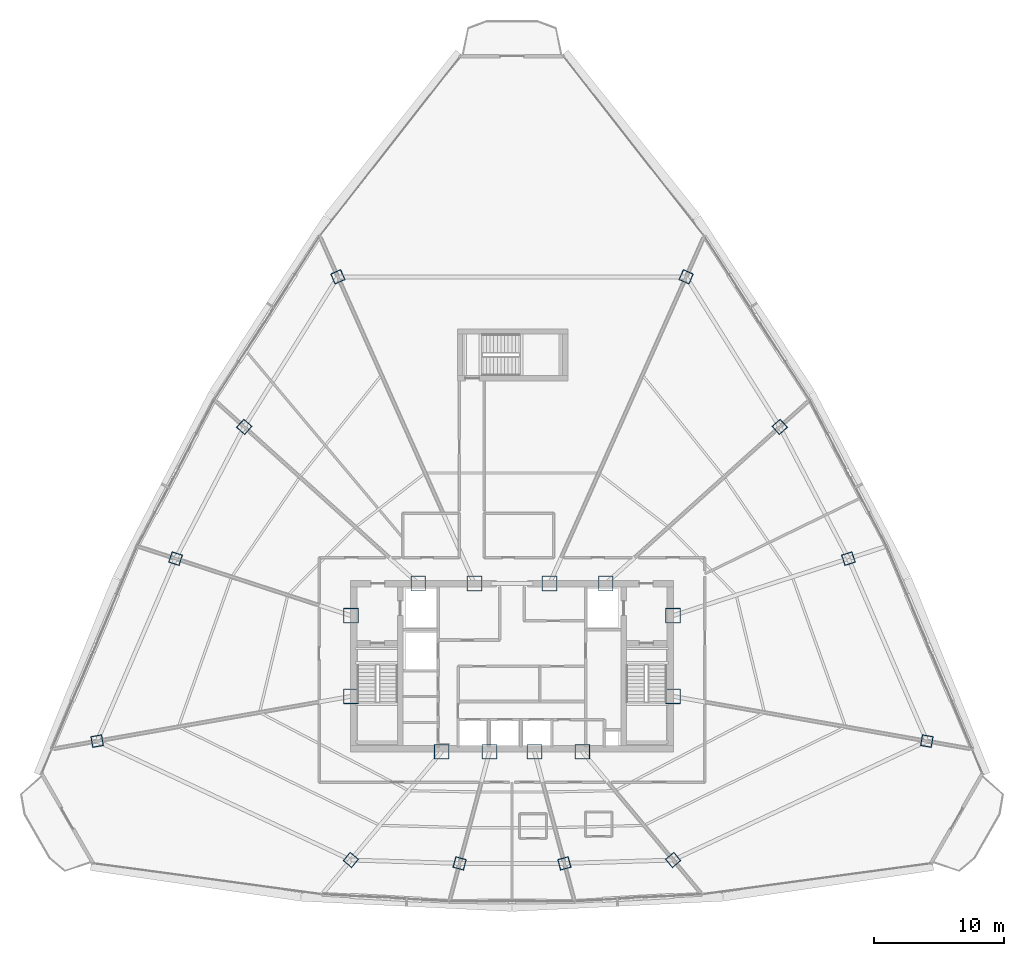
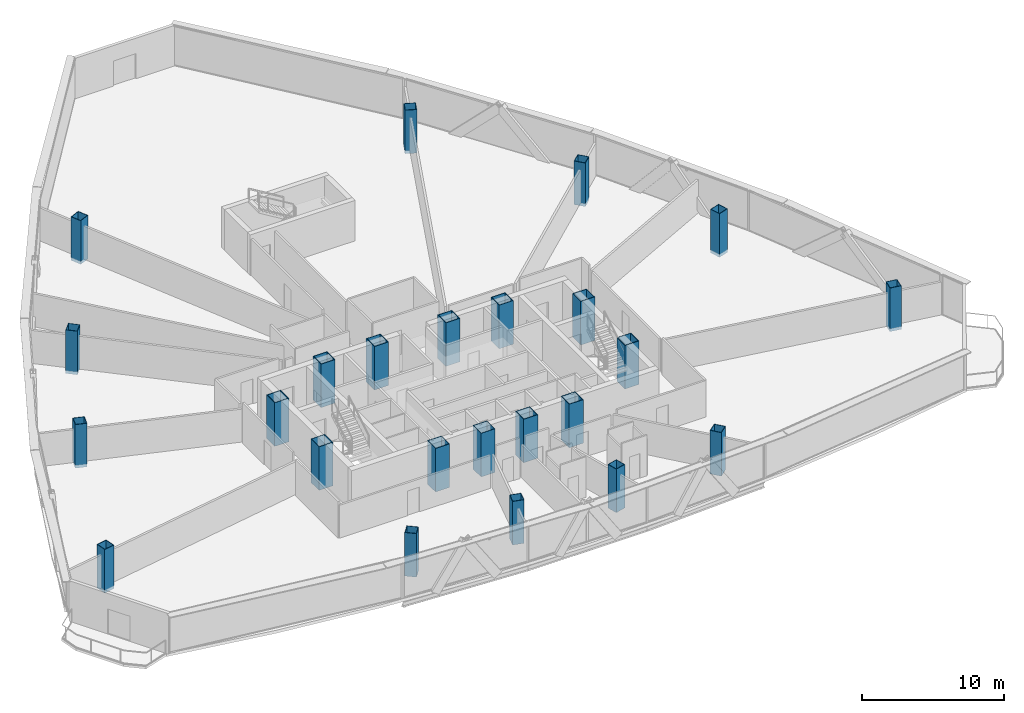
# One storey, part 1 of 34: 24 columns.
"""IFC4 building model written with IfcOpenShell, lengths in metres."""

import ifcopenshell
import ifcopenshell.guid

model = None  # the IFC model being written
_history = None  # IfcOwnerHistory: only IFC2X3 demands one
_inside = {}  # id of a spatial element -> (the spatial element, [elements in it])
_under = {}  # id of a project, library or spatial element -> (it, [spatial elements below it])
_declared = {}  # id of a project -> (the project, [libraries it declares])
_typed = {}  # id of a type object -> (the type object, [elements of that type])
_made_of = {}  # id of a material, layer set ... -> (it, [elements and type objects made of it])


def new_model(schema):
    """Start an empty IFC model of exactly this schema.

    Asked for "IFC4X3", IfcOpenShell would pick the latest addendum, in which some entities
    have other attributes; the version numbers below select the first issue.
    IFC2X3 requires an IfcOwnerHistory on every rooted entity: one is made here for all.
    """
    global model, _history
    if schema == "IFC4X3":
        model = ifcopenshell.file(schema_version=(4, 3, 0, 0))
    else:
        model = ifcopenshell.file(schema=schema)
    _inside.clear()
    _under.clear()
    _declared.clear()
    _typed.clear()
    _made_of.clear()
    _history = None
    if model.schema == "IFC2X3":
        org = make("IfcOrganization", Name="unknown")
        user = make(
            "IfcPersonAndOrganization",
            ThePerson=make("IfcPerson", FamilyName="unknown"),
            TheOrganization=org,
        )
        app = make(
            "IfcApplication",
            ApplicationDeveloper=org,
            Version="unknown",
            ApplicationFullName="unknown",
            ApplicationIdentifier="unknown",
        )
        _history = make(
            "IfcOwnerHistory",
            OwningUser=user,
            OwningApplication=app,
            ChangeAction="ADDED",
            CreationDate=0,
        )
    return model


def make(cls, **values):
    """One entity of the class cls with the attributes given. An attribute that is None is left unset."""
    return model.create_entity(
        cls, **{name: value for name, value in values.items() if value is not None}
    )


def rooted(cls, **values):
    """An entity with a GlobalId (a new one), such as an element, a storey or a relation."""
    return make(cls, GlobalId=ifcopenshell.guid.new(), OwnerHistory=_history, **values)


def si_unit(unit_type, name, prefix=None):
    """IfcSIUnit, for example si_unit("LENGTHUNIT", "METRE", prefix="MILLI")."""
    return make("IfcSIUnit", UnitType=unit_type, Prefix=prefix, Name=name)


def assignment(units):
    """IfcUnitAssignment: the units of a project."""
    return None if units is None else make("IfcUnitAssignment", Units=units)


def point(xyz):
    """IfcCartesianPoint."""
    return None if xyz is None else make("IfcCartesianPoint", Coordinates=xyz)


def direction(xyz):
    """IfcDirection."""
    return None if xyz is None else make("IfcDirection", DirectionRatios=xyz)


def frame(location, z_axis=None, x_axis=None):
    """IfcAxis2Placement3D, a coordinate frame: its origin and axes. An axis left out is left unset."""
    return make(
        "IfcAxis2Placement3D",
        Location=point(location),
        Axis=direction(z_axis),
        RefDirection=direction(x_axis),
    )


def frame_2d(location, x_axis=None):
    """IfcAxis2Placement2D, a coordinate frame in the plane: its origin and x axis."""
    return make(
        "IfcAxis2Placement2D", Location=point(location), RefDirection=direction(x_axis)
    )


def origin():
    """The frame at (0, 0, 0) with its axes left unset."""
    return frame((0.0, 0.0, 0.0))


def origin_2d():
    """The frame at (0, 0) in the plane with its x axis left unset."""
    return frame_2d((0.0, 0.0))


def place(relative_to, where):
    """IfcLocalPlacement: puts the frame where relative to a parent placement (None: the world)."""
    return make(
        "IfcLocalPlacement", PlacementRelTo=relative_to, RelativePlacement=where
    )


def context(
    kind, dimensions, precision=None, world=None, true_north=None, identifier=None
):
    """IfcGeometricRepresentationContext, for example the 3D "Model" context."""
    return make(
        "IfcGeometricRepresentationContext",
        ContextIdentifier=identifier,
        ContextType=kind,
        CoordinateSpaceDimension=dimensions,
        Precision=precision,
        WorldCoordinateSystem=world,
        TrueNorth=true_north,
    )


def subcontext(parent, identifier, kind, view, scale=None):
    """IfcGeometricRepresentationSubContext, for example "Body" below "Model"."""
    return make(
        "IfcGeometricRepresentationSubContext",
        ContextIdentifier=identifier,
        ContextType=kind,
        ParentContext=parent,
        TargetScale=scale,
        TargetView=view,
    )


def project(units=None, contexts=None):
    """IfcProject with its units and contexts."""
    return rooted(
        "IfcProject",
        Name="project",
        RepresentationContexts=contexts,
        UnitsInContext=assignment(units),
    )


def spatial(cls, under=None, at=None, **own):
    """A site, building, storey or space (cls), placed at a placement, below another one or the project."""
    s = rooted(cls, ObjectPlacement=at, **own)
    if under is not None:
        _under.setdefault(under.id(), (under, []))[1].append(s)
    return s


def profile(cls, at=None, kind="AREA", **sizes):
    """A parametric profile (cls). Its sizes go by their IFC names, for example OverallWidth=200.0."""
    return make(cls, ProfileType=kind, Position=at, **sizes)


def hollow_rectangle(**sizes):
    """IfcRectangleHollowProfileDef."""
    return profile("IfcRectangleHollowProfileDef", **sizes)


def extrude(swept, where, along, depth):
    """IfcExtrudedAreaSolid: the profile swept, set in the frame where, extruded along a direction by depth."""
    return make(
        "IfcExtrudedAreaSolid",
        SweptArea=swept,
        Position=where,
        ExtrudedDirection=direction(along),
        Depth=depth,
    )


def shape(context_of_items, identifier, shape_type, items):
    """IfcShapeRepresentation: the items that make up one representation, for example the "Body"."""
    return make(
        "IfcShapeRepresentation",
        ContextOfItems=context_of_items,
        RepresentationIdentifier=identifier,
        RepresentationType=shape_type,
        Items=items,
    )


def source(mapping_origin, context_of_items, identifier, shape_type, items):
    """IfcRepresentationMap: a shape defined once, which mapped items show again and again."""
    return make(
        "IfcRepresentationMap",
        MappingOrigin=mapping_origin,
        MappedRepresentation=shape(context_of_items, identifier, shape_type, items),
    )


def transform(
    local_origin,
    x_axis=None,
    y_axis=None,
    z_axis=None,
    scale=None,
    scale2=None,
    scale3=None,
    uniform=True,
):
    """IfcCartesianTransformationOperator3D, or its non-uniform kind. x_axis, y_axis, z_axis: its Axis1, 2, 3."""
    if uniform:
        return make(
            "IfcCartesianTransformationOperator3D",
            Axis1=direction(x_axis),
            Axis2=direction(y_axis),
            LocalOrigin=point(local_origin),
            Scale=scale,
            Axis3=direction(z_axis),
        )
    return make(
        "IfcCartesianTransformationOperator3DnonUniform",
        Axis1=direction(x_axis),
        Axis2=direction(y_axis),
        LocalOrigin=point(local_origin),
        Scale=scale,
        Axis3=direction(z_axis),
        Scale2=scale2,
        Scale3=scale3,
    )


def mapped(mapping_source, mapping_target):
    """IfcMappedItem: shows the shape of a source again, moved by a transform."""
    return make(
        "IfcMappedItem", MappingSource=mapping_source, MappingTarget=mapping_target
    )


def material(Name=None, Category=None):
    """IfcMaterial."""
    return make("IfcMaterial", Name=Name, Category=Category)


def material_profile(
    of_material, cross_section, Name=None, Category=None, Priority=None
):
    """IfcMaterialProfile: a cross section and its material."""
    return make(
        "IfcMaterialProfile",
        Name=Name,
        Material=of_material,
        Profile=cross_section,
        Priority=Priority,
        Category=Category,
    )


def profile_set(profiles, Name=None, composite=None):
    """IfcMaterialProfileSet."""
    return make(
        "IfcMaterialProfileSet",
        Name=Name,
        MaterialProfiles=profiles,
        CompositeProfile=composite,
    )


def made_of(thing, what):
    """Note that an element or type object is made of a material, layer set ...; save() writes the relation."""
    if what is not None:
        _made_of.setdefault(what.id(), (what, []))[1].append(thing)
    return thing


def type_object(cls, material=None, **own):
    """A type object (cls), such as IfcWallType, which elements share."""
    return made_of(rooted(cls, **own), material)


def element(
    cls,
    number,
    at=None,
    inside=None,
    cuts=None,
    type_object=None,
    material=None,
    context=None,
    identifier="Body",
    shape_type=None,
    held_by="IfcProductDefinitionShape",
    body=None,
    shapes=None,
    **own,
):
    """One element of the class cls, such as IfcWall. Its Tag is "e" and its number.

    at: its placement. inside: the storey or other place that contains it. cuts: it is an
    opening in that element (IfcRelVoidsElement). A single representation is given by context,
    identifier, shape_type and body (its items); several are given by shapes. held_by: the class
    of the entity that holds the representations. save() writes the other relations.
    """
    e = rooted(cls, Tag="e%d" % number, ObjectPlacement=at, **own)
    if body is not None:
        shapes = [shape(context, identifier, shape_type, body)]
    if shapes is not None:
        e.Representation = make(held_by, Representations=shapes)
    if inside is not None:
        _inside.setdefault(inside.id(), (inside, []))[1].append(e)
    if cuts is not None:
        rooted(
            "IfcRelVoidsElement", RelatingBuildingElement=cuts, RelatedOpeningElement=e
        )
    if type_object is not None:
        _typed.setdefault(type_object.id(), (type_object, []))[1].append(e)
    return made_of(e, material)


def aggregate(whole, parts):
    """IfcRelAggregates: a whole, such as a stair, and the parts it consists of."""
    return rooted("IfcRelAggregates", RelatingObject=whole, RelatedObjects=parts)


def save(model, path):
    """Write the relations noted so far, then the file.

    IfcRelAggregates (storeys below a building ...), IfcRelContainedInSpatialStructure (elements
    in a storey), IfcRelDefinesByType, IfcRelAssociatesMaterial and IfcRelDeclares: one each for
    every whole, place, type object, material and project.
    """
    for whole, parts in _under.values():
        aggregate(whole, parts)
    for where, things in _inside.values():
        rooted(
            "IfcRelContainedInSpatialStructure",
            RelatedElements=things,
            RelatingStructure=where,
        )
    for kind, things in _typed.values():
        rooted("IfcRelDefinesByType", RelatedObjects=things, RelatingType=kind)
    for what, things in _made_of.values():
        rooted("IfcRelAssociatesMaterial", RelatedObjects=things, RelatingMaterial=what)
    for by, libraries in _declared.values():
        rooted("IfcRelDeclares", RelatingContext=by, RelatedDefinitions=libraries)
    model.write(path)


model = new_model("IFC4")

# Units and contexts
model_context = context("Model", 3, precision=1e-05, world=origin(), true_north=direction((0.0, 1.0)))
body_context = subcontext(model_context, "Body", "Model", "MODEL_VIEW")
ifc_project = project(units=[si_unit("LENGTHUNIT", "METRE"), si_unit("AREAUNIT", "SQUARE_METRE"), si_unit("VOLUMEUNIT", "CUBIC_METRE"), si_unit("PLANEANGLEUNIT", "RADIAN"), si_unit("MASSUNIT", "GRAM", prefix="KILO"), si_unit("THERMODYNAMICTEMPERATUREUNIT", "KELVIN"), si_unit("POWERUNIT", "WATT")], contexts=[model_context])

# Site, building, storey
site_placement = place(None, origin())
site = spatial("IfcSite", under=ifc_project, at=site_placement, CompositionType="ELEMENT")
building_placement = place(site_placement, origin())
building = spatial("IfcBuilding", under=site, at=building_placement, Name="Yunzhuo Pagoda Commons", CompositionType="ELEMENT")
storey_placement = place(building_placement, frame((0.0, 0.0, 229.610107421875)))
storey = spatial("IfcBuildingStorey", under=building, at=storey_placement, Name="L57", CompositionType="ELEMENT", Elevation=229.610107421875)

# Columns
ifc_material_1 = material(Name="Structural steel Q420B", Category="steel")
ifc_material_profile_1 = material_profile(ifc_material_1, hollow_rectangle(XDim=1.14990234375, YDim=1.14990234375, WallThickness=0.048095703125, at=origin_2d()), Name="Structural steel Q420B")
ifc_profile_set_1 = profile_set([ifc_material_profile_1], Name="Structural steel Q420B")
column_type_1 = type_object("IfcColumnType", Name="C-COR Column BOX 1150x1150x48", PredefinedType="COLUMN", material=ifc_profile_set_1)
shared_shape_1 = source(origin(), body_context, "Body", "SweptSolid", [
    extrude(hollow_rectangle(XDim=1.14990234375, YDim=1.14990234375, WallThickness=0.048095703125, at=origin_2d()), origin(), (0.0, 0.0, 1.0), 3.72998046875),
])
for number, where, z_axis, x_axis, name in (
    (1, (42.587890625, 27.25, -0.260009765625), (0.0, 0.0, 1.0), (1.0, 0.0, 0.0), "L57 core composite column F1C1"),
    (2, (46.27197265625, 27.25, -0.260009765625), (0.0, 0.0, 1.0), (1.0, 0.0, 0.0), "L57 core composite column F1C2"),
    (3, (49.728515625, 27.25, -0.260009765625), (0.0, 0.0, 1.0), (1.0, 0.0, 0.0), "L57 core composite column F1C3"),
    (4, (53.412109375, 27.25, -0.260009765625), (0.0, 0.0, 1.0), (1.0, 0.0, 0.0), "L57 core composite column F1C4"),
    (5, (60.39990234375, 31.513427734375, -0.260009765625), (0.0, 0.0, 1.0), (1.0, 0.0, 0.0), "L57 core composite column F2C1"),
    (6, (60.39990234375, 37.72900390625, -0.260009765625), (0.0, 0.0, 1.0), (1.0, 0.0, 0.0), "L57 core composite column F2C2"),
    (7, (55.218994140625, 40.199951171875, -0.260009765625), (0.0, 0.0, 1.0), (1.0, 0.0, 0.0), "L57 core composite column F2C3"),
    (8, (50.89404296875, 40.199951171875, -0.260009765625), (0.0, 0.0, 1.0), (1.0, 0.0, 0.0), "L57 core composite column F2C4"),
    (9, (45.10595703125, 40.199951171875, -0.260009765625), (0.0, 0.0, 1.0), (1.0, 0.0, 0.0), "L57 core composite column F3C1"),
    (10, (40.781005859375, 40.199951171875, -0.260009765625), (0.0, 0.0, 1.0), (1.0, 0.0, 0.0), "L57 core composite column F3C2"),
    (11, (35.60009765625, 37.72900390625, -0.260009765625), (0.0, 0.0, 1.0), (1.0, 0.0, 0.0), "L57 core composite column F3C3"),
    (12, (35.60009765625, 31.513427734375, -0.260009765625), (0.0, 0.0, 1.0), (1.0, 0.0, 0.0), "L57 core composite column F3C4"),
):
    element("IfcColumn", number, at=place(storey_placement, frame(where, z_axis=z_axis, x_axis=x_axis)), inside=storey, type_object=column_type_1, Name=name, PredefinedType="COLUMN", context=body_context, shape_type="MappedRepresentation", body=[
        mapped(shared_shape_1, transform((0.0, 0.0, 0.0), scale=1.0)),
    ])
ifc_material_2 = material(Name="Structural steel Q355B", Category="steel")
ifc_material_profile_2 = material_profile(ifc_material_2, hollow_rectangle(XDim=0.85009765625, YDim=0.85009765625, WallThickness=0.033935546875, at=origin_2d()), Name="Structural steel Q355B")
ifc_profile_set_2 = profile_set([ifc_material_profile_2], Name="Structural steel Q355B")
column_type_2 = type_object("IfcColumnType", Name="C-Z5 Column BOX 850x850x34", PredefinedType="COLUMN", material=ifc_profile_set_2)
shared_shape_2 = source(origin(), body_context, "Body", "SweptSolid", [
    extrude(hollow_rectangle(XDim=0.85009765625, YDim=0.85009765625, WallThickness=0.033935546875, at=origin_2d()), origin(), (0.0, 0.0, 1.0), 3.72998046875),
])
for number, where, z_axis, x_axis, name in (
    (13, (35.593017578125, 18.913818359375, -0.260009765625), (0.0, 0.0, 1.0), (0.766044443119, -0.642787609687, 0.0), "L57 tower column F1C1"),
    (14, (43.968505859375, 18.654052734375, -0.260009765625), (0.0, 0.0, 1.0), (0.965925826289, -0.258819045103, 0.0), "L57 tower column F1C2"),
    (15, (52.031494140625, 18.654052734375, -0.260009765625), (0.0, 0.0, 1.0), (0.965925826289, 0.258819045103, 0.0), "L57 tower column F1C3"),
    (16, (60.406982421875, 18.913818359375, -0.260009765625), (0.0, 0.0, 1.0), (0.766044443119, 0.642787609687, 0.0), "L57 tower column F1C4"),
    (17, (79.93408203125, 28.069091796875, -0.260009765625), (0.0, 0.0, 1.0), (0.173648177667, 0.984807753012, 0.0), "L57 tower column F2C1"),
    (18, (73.898681640625, 42.114990234375, -0.260009765625), (0.0, 0.0, 1.0), (-0.309016994375, 0.951056516295, 0.0), "L57 tower column F2C2"),
    (19, (68.61181640625, 52.259033203125, -0.260009765625), (0.0, 0.0, 1.0), (-0.669130606359, 0.743144825477, 0.0), "L57 tower column F2C3"),
    (20, (61.40673828125, 63.81201171875, -0.260009765625), (0.0, 0.0, 1.0), (-0.913545457643, 0.406736643076, 0.0), "L57 tower column F2C4"),
    (21, (34.59326171875, 63.81201171875, -0.260009765625), (0.0, 0.0, 1.0), (-0.913545457643, -0.406736643076, 0.0), "L57 tower column F3C1"),
    (22, (27.38818359375, 52.259033203125, -0.260009765625), (0.0, 0.0, 1.0), (-0.669130606359, -0.743144825477, 0.0), "L57 tower column F3C2"),
    (23, (22.101806640625, 42.114990234375, -0.260009765625), (0.0, 0.0, 1.0), (-0.309016994375, -0.951056516295, 0.0), "L57 tower column F3C3"),
    (24, (16.06591796875, 28.069091796875, -0.260009765625), (0.0, 0.0, 1.0), (0.173648177667, -0.984807753012, 0.0), "L57 tower column F3C4"),
):
    element("IfcColumn", number, at=place(storey_placement, frame(where, z_axis=z_axis, x_axis=x_axis)), inside=storey, type_object=column_type_2, Name=name, PredefinedType="COLUMN", context=body_context, shape_type="MappedRepresentation", body=[
        mapped(shared_shape_2, transform((0.0, 0.0, 0.0), scale=1.0)),
    ])

save(model, "model.ifc")
